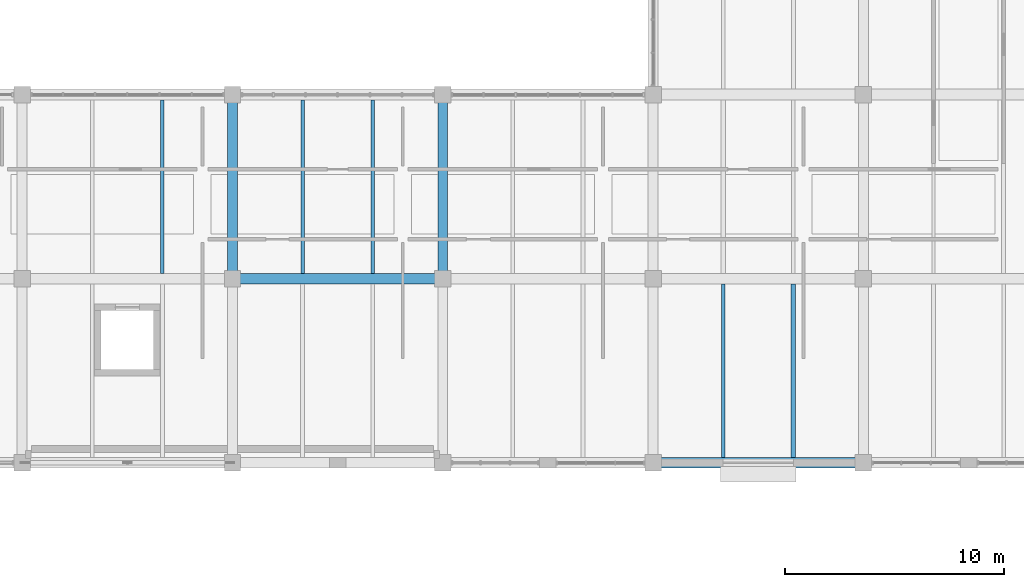
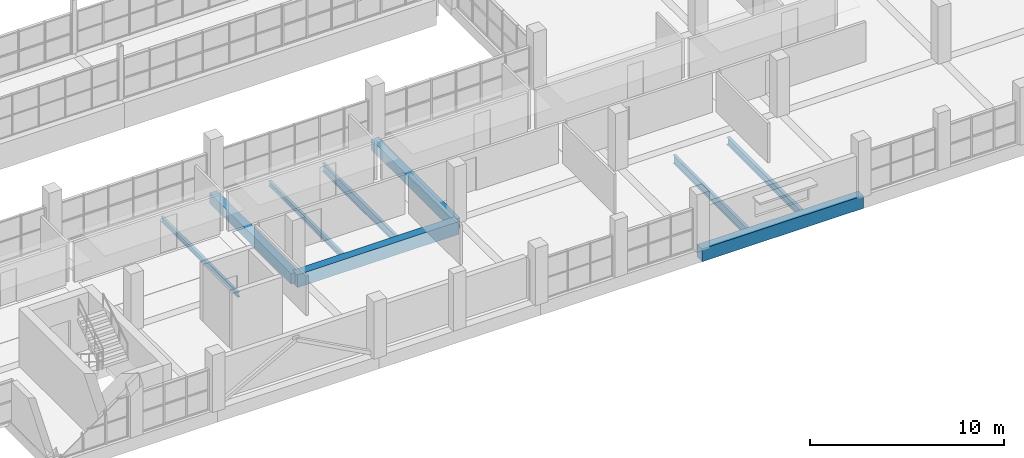
# One storey, part 54 of 147: 9 beams.
"""IFC4 building model written with IfcOpenShell, lengths in metres."""

from ifc_helpers import new_model, si_unit, direction, frame, origin, origin_2d, place, context, subcontext, project, spatial, rectangle, i_section, extrude, material, material_profile, profile_set, type_object, element, save


model = new_model("IFC4")

# Units and contexts
model_context = context("Model", 3, precision=1e-05, world=origin(), true_north=direction((0.0, 1.0)))
body_context = subcontext(model_context, "Body", "Model", "MODEL_VIEW")
ifc_project = project(units=[si_unit("LENGTHUNIT", "METRE"), si_unit("AREAUNIT", "SQUARE_METRE"), si_unit("VOLUMEUNIT", "CUBIC_METRE"), si_unit("PLANEANGLEUNIT", "RADIAN"), si_unit("MASSUNIT", "GRAM", prefix="KILO")], contexts=[model_context])

# Site, building, storey
site_placement = place(None, origin())
site = spatial("IfcSite", under=ifc_project, at=site_placement, CompositionType="ELEMENT")
building_placement = place(site_placement, origin())
building = spatial("IfcBuilding", under=site, at=building_placement, Name="Oolite Switchyard Hospital", CompositionType="ELEMENT")
storey_placement = place(building_placement, frame((0.0, 0.0, 9.89990234375)))
storey = spatial("IfcBuildingStorey", under=building, at=storey_placement, Name="L02", CompositionType="ELEMENT", Elevation=9.89990234375)

# Beams
ifc_material_1 = material(Name="Concrete C40/50", Category="concrete")
ifc_material_profile_1 = material_profile(ifc_material_1, rectangle(XDim=0.449951171875, YDim=0.64990234375, at=origin_2d()), Name="RCB450X650")
ifc_profile_set_1 = profile_set([ifc_material_profile_1], Name="Concrete C40/50")
beam_type_1 = type_object("IfcBeamType", Name="BM-RC450X650", PredefinedType="BEAM", material=ifc_profile_set_1)
for number, where, z_axis, x_axis, name in (
    (1, (163.199951171875, 16.800048828125, -0.324951171875), (0.0, 1.0, 0.0), (-1.0, 0.0, 0.0), "L02 Y-Girder 1443"),
    (2, (172.800048828125, 16.800048828125, -0.324951171875), (0.0, 1.0, 0.0), (-1.0, 0.0, 0.0), "L02 Y-Girder 1455"),
):
    element("IfcBeam", number, at=place(storey_placement, frame(where, z_axis=z_axis, x_axis=x_axis)), inside=storey, type_object=beam_type_1, Name=name, PredefinedType="BEAM", context=body_context, shape_type="SweptSolid", body=[
        extrude(rectangle(XDim=0.449951171875, YDim=0.64990234375, at=origin_2d()), origin(), (0.0, 0.0, 1.0), 8.39990234375),
    ])
ifc_material_profile_2 = material_profile(ifc_material_1, rectangle(XDim=0.5, YDim=0.800048828125, at=origin_2d()), Name="RCB500X800")
ifc_profile_set_2 = profile_set([ifc_material_profile_2], Name="Concrete C40/50")
beam_type_2 = type_object("IfcBeamType", Name="BM-RC500X800", PredefinedType="BEAM", material=ifc_profile_set_2)
for number, where, z_axis, x_axis, name in (
    (3, (182.39990234375, 8.39990234375, -0.39990234375), (1.0, 0.0, 0.0), (0.0, 1.0, 0.0), "L02 X-Girder 1002"),
    (4, (163.199951171875, 16.800048828125, -0.39990234375), (1.0, 0.0, 0.0), (0.0, 1.0, 0.0), "L02 X-Girder 1014"),
):
    element("IfcBeam", number, at=place(storey_placement, frame(where, z_axis=z_axis, x_axis=x_axis)), inside=storey, type_object=beam_type_2, Name=name, PredefinedType="BEAM", context=body_context, shape_type="SweptSolid", body=[
        extrude(rectangle(XDim=0.5, YDim=0.800048828125, at=origin_2d()), origin(), (0.0, 0.0, 1.0), 9.60009765625),
    ])
ifc_material_2 = material(Name="Steel ASTM A992 Grade 50", Category="steel")
ifc_material_profile_3 = material_profile(ifc_material_2, i_section(OverallWidth=0.1650390625, OverallDepth=0.31005859375, WebThickness=0.006103515625, FlangeThickness=0.010009765625, at=origin_2d()), Name="W12X26")
ifc_profile_set_3 = profile_set([ifc_material_profile_3], Name="Steel ASTM A992 Grade 50")
beam_type_3 = type_object("IfcBeamType", Name="BM-W12X26", PredefinedType="JOIST", material=ifc_profile_set_3)
for number, where, z_axis, x_axis, name in (
    (5, (160.0, 17.050048828125, -0.414794921875), (0.0, 1.0, 0.0), (-1.0, 0.0, 0.0), "L02 Secondary Steel Joist 1815"),
    (6, (166.39990234375, 17.050048828125, -0.414794921875), (0.0, 1.0, 0.0), (-1.0, 0.0, 0.0), "L02 Secondary Steel Joist 1834"),
):
    element("IfcBeam", number, at=place(storey_placement, frame(where, z_axis=z_axis, x_axis=x_axis)), inside=storey, type_object=beam_type_3, Name=name, PredefinedType="JOIST", context=body_context, shape_type="SweptSolid", body=[
        extrude(i_section(OverallWidth=0.1650390625, OverallDepth=0.31005859375, WebThickness=0.006103515625, FlangeThickness=0.010009765625, at=origin_2d()), origin(), (0.0, 0.0, 1.0), 7.89990234375),
    ])
ifc_material_profile_4 = material_profile(ifc_material_2, i_section(OverallWidth=0.19091796875, OverallDepth=0.4599609375, WebThickness=0.010009765625, FlangeThickness=0.01611328125, at=origin_2d()), Name="W18X55")
ifc_profile_set_4 = profile_set([ifc_material_profile_4], Name="Steel ASTM A992 Grade 50")
beam_type_4 = type_object("IfcBeamType", Name="BM-W18X55", PredefinedType="JOIST", material=ifc_profile_set_4)
beam_1_placement = place(storey_placement, frame((188.800048828125, 8.64990234375, -0.489990234375), z_axis=(0.0, 1.0, 0.0), x_axis=(-1.0, 0.0, 0.0)))
element("IfcBeam", 7, at=beam_1_placement, inside=storey, type_object=beam_type_4, Name="L02 Secondary Steel Joist 1867", PredefinedType="JOIST", context=body_context, shape_type="SweptSolid", body=[
    extrude(i_section(OverallWidth=0.19091796875, OverallDepth=0.4599609375, WebThickness=0.010009765625, FlangeThickness=0.01611328125, at=origin_2d()), origin(), (0.0, 0.0, 1.0), 7.900146484375),
])
ifc_material_profile_5 = material_profile(ifc_material_2, i_section(OverallWidth=0.166015625, OverallDepth=0.529052734375, WebThickness=0.010009765625, FlangeThickness=0.013916015625, at=origin_2d()), Name="W21X50")
ifc_profile_set_5 = profile_set([ifc_material_profile_5], Name="Steel ASTM A992 Grade 50")
beam_type_5 = type_object("IfcBeamType", Name="BM-W21X50", PredefinedType="JOIST", material=ifc_profile_set_5)
beam_2_placement = place(storey_placement, frame((169.60009765625, 17.050048828125, -0.52392578125), z_axis=(0.0, 1.0, 0.0), x_axis=(-1.0, 0.0, 0.0)))
element("IfcBeam", 8, at=beam_2_placement, inside=storey, type_object=beam_type_5, Name="L02 Secondary Steel Joist 1835", PredefinedType="JOIST", context=body_context, shape_type="SweptSolid", body=[
    extrude(i_section(OverallWidth=0.166015625, OverallDepth=0.529052734375, WebThickness=0.010009765625, FlangeThickness=0.013916015625, at=origin_2d()), origin(), (0.0, 0.0, 1.0), 7.89990234375),
])
beam_3_placement = place(storey_placement, frame((185.60009765625, 8.64990234375, -0.52392578125), z_axis=(0.0, 1.0, 0.0), x_axis=(-1.0, 0.0, 0.0)))
element("IfcBeam", 9, at=beam_3_placement, inside=storey, type_object=beam_type_5, Name="L02 Secondary Steel Joist 1866", PredefinedType="JOIST", context=body_context, shape_type="SweptSolid", body=[
    extrude(i_section(OverallWidth=0.166015625, OverallDepth=0.529052734375, WebThickness=0.010009765625, FlangeThickness=0.013916015625, at=origin_2d()), origin(), (0.0, 0.0, 1.0), 7.900146484375),
])

save(model, "model.ifc")
